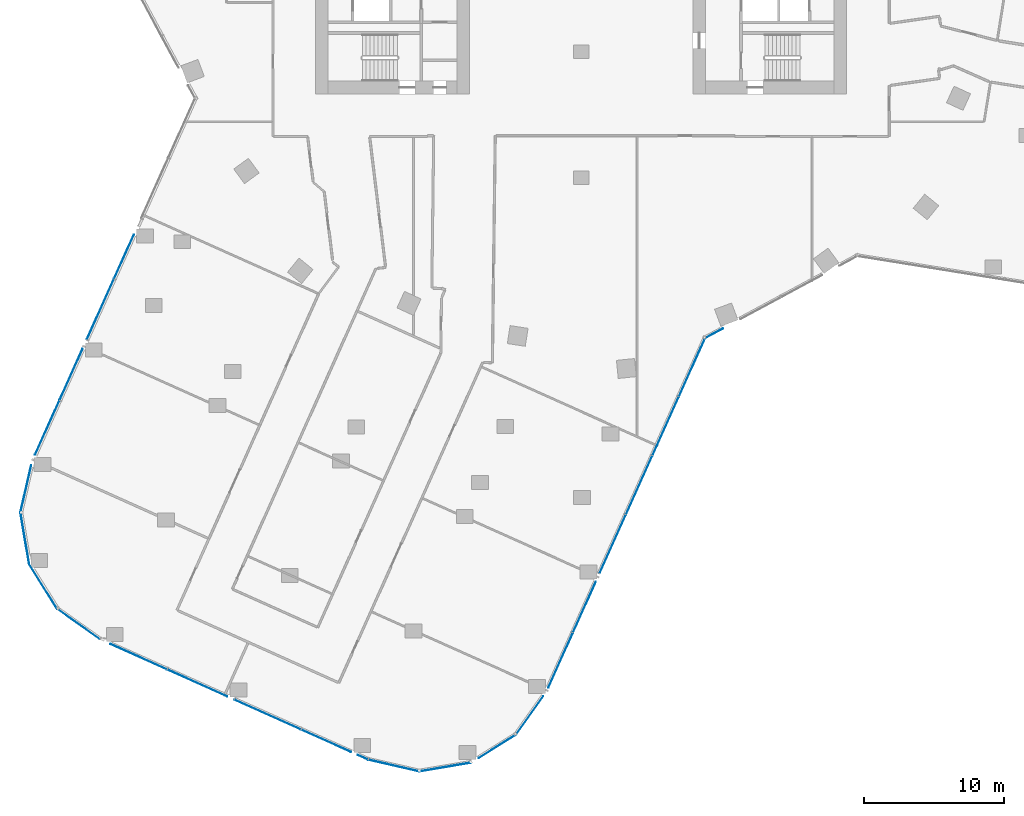
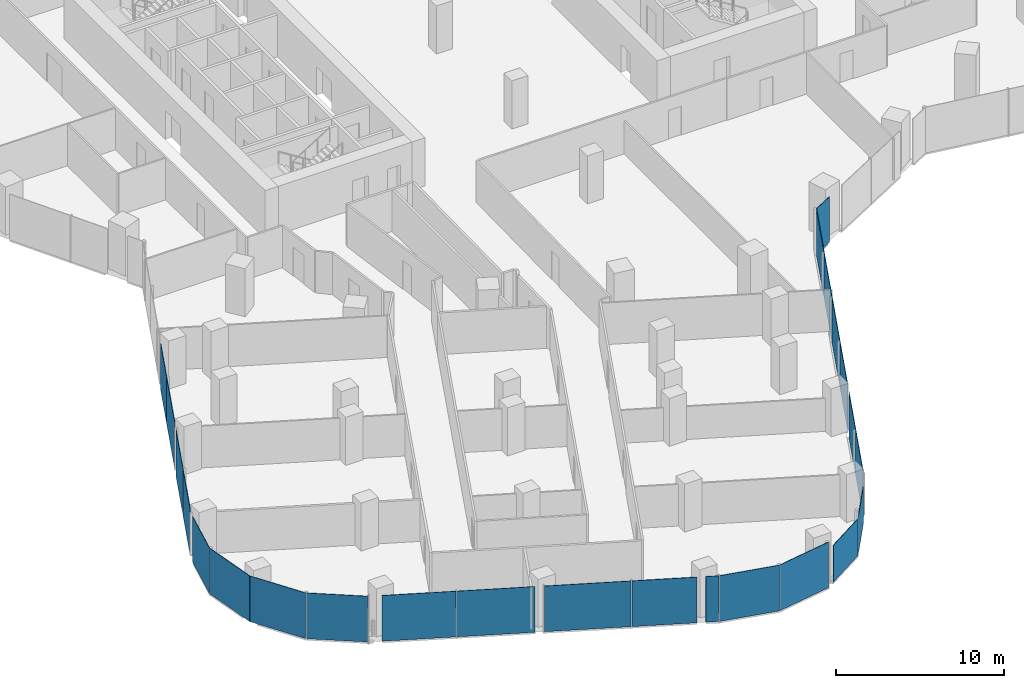
# One storey, part 18 of 34: 24 plates, 12 elements without a shape of their own.
"""IFC4 building model written with IfcOpenShell, lengths in metres."""

from ifc_helpers import new_model, si_unit, direction, frame, origin, origin_2d, place, context, subcontext, project, spatial, rectangle, extrude, material, layer, layer_set, type_object, element, aggregate, save


model = new_model("IFC4")

# Units and contexts
model_context = context("Model", 3, precision=1e-05, world=origin(), true_north=direction((0.0, 1.0)))
body_context = subcontext(model_context, "Body", "Model", "MODEL_VIEW")
ifc_project = project(units=[si_unit("LENGTHUNIT", "METRE"), si_unit("AREAUNIT", "SQUARE_METRE"), si_unit("VOLUMEUNIT", "CUBIC_METRE"), si_unit("PLANEANGLEUNIT", "RADIAN"), si_unit("MASSUNIT", "GRAM", prefix="KILO")], contexts=[model_context])

# Site, building, storey
site_placement = place(None, origin())
site = spatial("IfcSite", under=ifc_project, at=site_placement, CompositionType="ELEMENT")
building_placement = place(site_placement, origin())
building = spatial("IfcBuilding", under=site, at=building_placement, Name="Orlundy Tower", CompositionType="ELEMENT")
storey_placement = place(building_placement, frame((0.0, 0.0, 137.699951171875)))
storey = spatial("IfcBuildingStorey", under=building, at=storey_placement, Name="L35", CompositionType="ELEMENT", Elevation=137.699951171875)

# Curtain wall, plates
ifc_material_1 = material(Name="Aluminium bronze anodised", Category="aluminium")
curtain_wall_type = type_object("IfcCurtainWallType", Name="CW1 wall", PredefinedType="NOTDEFINED", material=ifc_material_1)
curtain_wall_1_placement = place(storey_placement, origin())
curtain_wall_1 = element("IfcCurtainWall", 1, at=curtain_wall_1_placement, inside=storey, type_object=curtain_wall_type, Name="CW1 run 00", PredefinedType="NOTDEFINED")
ifc_material_2 = material(Name="Tinted glass", Category="glass")
ifc_layer = layer(ifc_material_2, 0.031982421875)
ifc_layer_set = layer_set([ifc_layer], Name="CW1 glass panel 32")
plate_type = type_object("IfcPlateType", Name="CW1 glass panel 32", PredefinedType="CURTAIN_PANEL", material=ifc_layer_set)
plate_1_placement = place(storey_placement, frame((-38.206787109375, -35.89306640625, -0.280029296875), z_axis=(0.0, 0.0, 1.0), x_axis=(0.409404071174, 0.912353169834, 0.0)))
plate_1 = element("IfcPlate", 2, at=plate_1_placement, type_object=plate_type, Name="CW1 panel", PredefinedType="CURTAIN_PANEL", context=body_context, shape_type="SweptSolid", body=[
    extrude(rectangle(XDim=4.239501953125, YDim=0.031982421875, at=origin_2d()), origin(), (0.0, 0.0, 1.0), 3.330078125),
])
plate_2_placement = place(storey_placement, frame((-36.499755859375, -32.0888671875, -0.280029296875), z_axis=(0.0, 0.0, 1.0), x_axis=(0.409404071174, 0.912353169834, 0.0)))
plate_2 = element("IfcPlate", 3, at=plate_2_placement, type_object=plate_type, Name="CW1 panel", PredefinedType="CURTAIN_PANEL", context=body_context, shape_type="SweptSolid", body=[
    extrude(rectangle(XDim=3.999755859375, YDim=0.031982421875, at=origin_2d()), origin(), (0.0, 0.0, 1.0), 3.330078125),
])
plate_3_placement = place(storey_placement, frame((-34.408447265625, -27.4287109375, -0.280029296875), z_axis=(0.0, 0.0, 1.0), x_axis=(0.409404071174, 0.912353169834, 0.0)))
plate_3 = element("IfcPlate", 4, at=plate_3_placement, type_object=plate_type, Name="CW1 panel", PredefinedType="CURTAIN_PANEL", context=body_context, shape_type="SweptSolid", body=[
    extrude(rectangle(XDim=4.705322265625, YDim=0.031982421875, at=origin_2d()), origin(), (0.0, 0.0, 1.0), 3.330078125),
])
plate_4_placement = place(storey_placement, frame((-32.717529296875, -23.659912109375, -0.280029296875), z_axis=(0.0, 0.0, 1.0), x_axis=(0.409404071174, 0.912353169834, 0.0)))
plate_4 = element("IfcPlate", 5, at=plate_4_placement, type_object=plate_type, Name="CW1 panel", PredefinedType="CURTAIN_PANEL", context=body_context, shape_type="SweptSolid", body=[
    extrude(rectangle(XDim=3.4560546875, YDim=0.031982421875, at=origin_2d()), origin(), (0.0, 0.0, 1.0), 3.330078125),
])
aggregate(curtain_wall_1, [plate_1, plate_2, plate_3, plate_4])

# Curtain wall, plate
curtain_wall_2_placement = place(storey_placement, origin())
curtain_wall_2 = element("IfcCurtainWall", 6, at=curtain_wall_2_placement, inside=storey, type_object=curtain_wall_type, Name="CW1 run 017", PredefinedType="NOTDEFINED")
plate_5_placement = place(storey_placement, frame((9.50830078125, -29.142578125, -0.280029296875), z_axis=(0.0, 0.0, 1.0), x_axis=(-0.88019320423, -0.474615553081, 0.0)))
plate_5 = element("IfcPlate", 7, at=plate_5_placement, type_object=plate_type, Name="CW1 panel", PredefinedType="CURTAIN_PANEL", context=body_context, shape_type="SweptSolid", body=[
    extrude(rectangle(XDim=1.450927734375, YDim=0.031982421875, at=origin_2d()), origin(), (0.0, 0.0, 1.0), 3.330078125),
])
aggregate(curtain_wall_2, [plate_5])

# Curtain wall, plates
curtain_wall_3_placement = place(storey_placement, origin())
curtain_wall_3 = element("IfcCurtainWall", 8, at=curtain_wall_3_placement, inside=storey, type_object=curtain_wall_type, Name="CW1 run 018", PredefinedType="NOTDEFINED")
plate_6_placement = place(storey_placement, frame((7.9384765625, -31.5625, -0.280029296875), z_axis=(0.0, 0.0, 1.0), x_axis=(-0.409405171428, -0.912352676112, 0.0)))
plate_6 = element("IfcPlate", 9, at=plate_6_placement, type_object=plate_type, Name="CW1 panel", PredefinedType="CURTAIN_PANEL", context=body_context, shape_type="SweptSolid", body=[
    extrude(rectangle(XDim=4.550048828125, YDim=0.031982421875, at=origin_2d()), origin(), (0.0, 0.0, 1.0), 3.330078125),
])
plate_7_placement = place(storey_placement, frame((6.048828125, -35.7734375, -0.280029296875), z_axis=(0.0, 0.0, 1.0), x_axis=(-0.409405171428, -0.912352676112, 0.0)))
plate_7 = element("IfcPlate", 10, at=plate_7_placement, type_object=plate_type, Name="CW1 panel", PredefinedType="CURTAIN_PANEL", context=body_context, shape_type="SweptSolid", body=[
    extrude(rectangle(XDim=4.580810546875, YDim=0.031982421875, at=origin_2d()), origin(), (0.0, 0.0, 1.0), 3.330078125),
])
plate_8_placement = place(storey_placement, frame((4.153076171875, -39.998291015625, -0.280029296875), z_axis=(0.0, 0.0, 1.0), x_axis=(-0.409405171428, -0.912352676112, 0.0)))
plate_8 = element("IfcPlate", 11, at=plate_8_placement, type_object=plate_type, Name="CW1 panel", PredefinedType="CURTAIN_PANEL", context=body_context, shape_type="SweptSolid", body=[
    extrude(rectangle(XDim=4.580810546875, YDim=0.031982421875, at=origin_2d()), origin(), (0.0, 0.0, 1.0), 3.330078125),
])
plate_9_placement = place(storey_placement, frame((2.25732421875, -44.22314453125, -0.280029296875), z_axis=(0.0, 0.0, 1.0), x_axis=(-0.409405171428, -0.912352676112, 0.0)))
plate_9 = element("IfcPlate", 12, at=plate_9_placement, type_object=plate_type, Name="CW1 panel", PredefinedType="CURTAIN_PANEL", context=body_context, shape_type="SweptSolid", body=[
    extrude(rectangle(XDim=4.580810546875, YDim=0.031982421875, at=origin_2d()), origin(), (0.0, 0.0, 1.0), 3.330078125),
])
plate_10_placement = place(storey_placement, frame((0.23291015625, -48.734130859375, -0.280029296875), z_axis=(0.0, 0.0, 1.0), x_axis=(-0.409405171428, -0.912352676112, 0.0)))
plate_10 = element("IfcPlate", 13, at=plate_10_placement, type_object=plate_type, Name="CW1 panel", PredefinedType="CURTAIN_PANEL", context=body_context, shape_type="SweptSolid", body=[
    extrude(rectangle(XDim=3.952880859375, YDim=0.031982421875, at=origin_2d()), origin(), (0.0, 0.0, 1.0), 3.330078125),
])
plate_11_placement = place(storey_placement, frame((-1.474365234375, -52.538818359375, -0.280029296875), z_axis=(0.0, 0.0, 1.0), x_axis=(-0.409405171428, -0.912352676112, 0.0)))
plate_11 = element("IfcPlate", 14, at=plate_11_placement, type_object=plate_type, Name="CW1 panel", PredefinedType="CURTAIN_PANEL", context=body_context, shape_type="SweptSolid", body=[
    extrude(rectangle(XDim=4.287353515625, YDim=0.031982421875, at=origin_2d()), origin(), (0.0, 0.0, 1.0), 3.330078125),
])
aggregate(curtain_wall_3, [plate_6, plate_7, plate_8, plate_9, plate_10, plate_11])

# Curtain wall, plate
curtain_wall_4_placement = place(storey_placement, origin())
curtain_wall_4 = element("IfcCurtainWall", 15, at=curtain_wall_4_placement, inside=storey, type_object=curtain_wall_type, Name="CW1 run 019", PredefinedType="NOTDEFINED")
plate_12_placement = place(storey_placement, frame((-3.68798828125, -56.486328125, -0.280029296875), z_axis=(0.0, 0.0, 1.0), x_axis=(-0.579476006313, -0.814989299383, 0.0)))
plate_12 = element("IfcPlate", 16, at=plate_12_placement, type_object=plate_type, Name="CW1 panel", PredefinedType="CURTAIN_PANEL", context=body_context, shape_type="SweptSolid", body=[
    extrude(rectangle(XDim=3.37255859375, YDim=0.031982421875, at=origin_2d()), origin(), (0.0, 0.0, 1.0), 2.68994140625),
])
aggregate(curtain_wall_4, [plate_12])

curtain_wall_5_placement = place(storey_placement, origin())
curtain_wall_5 = element("IfcCurtainWall", 17, at=curtain_wall_5_placement, inside=storey, type_object=curtain_wall_type, Name="CW1 run 020", PredefinedType="NOTDEFINED")
plate_13_placement = place(storey_placement, frame((-5.99951171875, -58.697021484375, -0.280029296875), z_axis=(0.0, 0.0, 1.0), x_axis=(-0.847285276564, -0.531138080086, 0.0)))
plate_13 = element("IfcPlate", 18, at=plate_13_placement, type_object=plate_type, Name="CW1 panel", PredefinedType="CURTAIN_PANEL", context=body_context, shape_type="SweptSolid", body=[
    extrude(rectangle(XDim=3.149658203125, YDim=0.031982421875, at=origin_2d()), origin(), (0.0, 0.0, 1.0), 2.68994140625),
])
aggregate(curtain_wall_5, [plate_13])

curtain_wall_6_placement = place(storey_placement, origin())
curtain_wall_6 = element("IfcCurtainWall", 19, at=curtain_wall_6_placement, inside=storey, type_object=curtain_wall_type, Name="CW1 run 021", PredefinedType="NOTDEFINED")
plate_14_placement = place(storey_placement, frame((-9.72119140625, -60.17822265625, -0.280029296875), z_axis=(0.0, 0.0, 1.0), x_axis=(-0.986049086137, -0.166454797856, 0.0)))
plate_14 = element("IfcPlate", 20, at=plate_14_placement, type_object=plate_type, Name="CW1 panel", PredefinedType="CURTAIN_PANEL", context=body_context, shape_type="SweptSolid", body=[
    extrude(rectangle(XDim=3.77197265625, YDim=0.031982421875, at=origin_2d()), origin(), (0.0, 0.0, 1.0), 3.330078125),
])
aggregate(curtain_wall_6, [plate_14])

curtain_wall_7_placement = place(storey_placement, origin())
curtain_wall_7 = element("IfcCurtainWall", 21, at=curtain_wall_7_placement, inside=storey, type_object=curtain_wall_type, Name="CW1 run 022", PredefinedType="NOTDEFINED")
plate_15_placement = place(storey_placement, frame((-13.3984375, -60.074951171875, -0.280029296875), z_axis=(0.0, 0.0, 1.0), x_axis=(-0.974658825104, 0.223696612955, 0.0)))
plate_15 = element("IfcPlate", 22, at=plate_15_placement, type_object=plate_type, Name="CW1 panel", PredefinedType="CURTAIN_PANEL", context=body_context, shape_type="SweptSolid", body=[
    extrude(rectangle(XDim=3.7294921875, YDim=0.031982421875, at=origin_2d()), origin(), (0.0, 0.0, 1.0), 3.330078125),
])
aggregate(curtain_wall_7, [plate_15])

# Curtain wall, plates
curtain_wall_8_placement = place(storey_placement, origin())
curtain_wall_8 = element("IfcCurtainWall", 23, at=curtain_wall_8_placement, inside=storey, type_object=curtain_wall_type, Name="CW1 run 023", PredefinedType="NOTDEFINED")
plate_16_placement = place(storey_placement, frame((-15.62109375, -59.4814453125, -0.280029296875), z_axis=(0.0, 0.0, 1.0), x_axis=(-0.912366461182, 0.409374450241, 0.0)))
plate_16 = element("IfcPlate", 24, at=plate_16_placement, type_object=plate_type, Name="CW1 panel", PredefinedType="CURTAIN_PANEL", context=body_context, shape_type="SweptSolid", body=[
    extrude(rectangle(XDim=0.783935546875, YDim=0.031982421875, at=origin_2d()), origin(), (0.0, 0.0, 1.0), 3.330078125),
])
plate_17_placement = place(storey_placement, frame((-18.24755859375, -58.302978515625, -0.280029296875), z_axis=(0.0, 0.0, 1.0), x_axis=(-0.912366461182, 0.409374450241, 0.0)))
plate_17 = element("IfcPlate", 25, at=plate_17_placement, type_object=plate_type, Name="CW1 panel", PredefinedType="CURTAIN_PANEL", context=body_context, shape_type="SweptSolid", body=[
    extrude(rectangle(XDim=3.89013671875, YDim=0.031982421875, at=origin_2d()), origin(), (0.0, 0.0, 1.0), 3.330078125),
])
plate_18_placement = place(storey_placement, frame((-22.440185546875, -56.421875, -0.280029296875), z_axis=(0.0, 0.0, 1.0), x_axis=(-0.912366461182, 0.409374450241, 0.0)))
plate_18 = element("IfcPlate", 26, at=plate_18_placement, type_object=plate_type, Name="CW1 panel", PredefinedType="CURTAIN_PANEL", context=body_context, shape_type="SweptSolid", body=[
    extrude(rectangle(XDim=5.2001953125, YDim=0.031982421875, at=origin_2d()), origin(), (0.0, 0.0, 1.0), 3.330078125),
])
plate_19_placement = place(storey_placement, frame((-27.462646484375, -54.168212890625, -0.280029296875), z_axis=(0.0, 0.0, 1.0), x_axis=(-0.912366461182, 0.409374450241, 0.0)))
plate_19 = element("IfcPlate", 27, at=plate_19_placement, type_object=plate_type, Name="CW1 panel", PredefinedType="CURTAIN_PANEL", context=body_context, shape_type="SweptSolid", body=[
    extrude(rectangle(XDim=4.6904296875, YDim=0.031982421875, at=origin_2d()), origin(), (0.0, 0.0, 1.0), 3.330078125),
])
plate_20_placement = place(storey_placement, frame((-31.663330078125, -52.283203125, -0.280029296875), z_axis=(0.0, 0.0, 1.0), x_axis=(-0.912366461182, 0.409374450241, 0.0)))
plate_20 = element("IfcPlate", 28, at=plate_20_placement, type_object=plate_type, Name="CW1 panel", PredefinedType="CURTAIN_PANEL", context=body_context, shape_type="SweptSolid", body=[
    extrude(rectangle(XDim=4.41796875, YDim=0.031982421875, at=origin_2d()), origin(), (0.0, 0.0, 1.0), 3.330078125),
])
aggregate(curtain_wall_8, [plate_16, plate_17, plate_18, plate_19, plate_20])

# Curtain wall, plate
curtain_wall_9_placement = place(storey_placement, origin())
curtain_wall_9 = element("IfcCurtainWall", 29, at=curtain_wall_9_placement, inside=storey, type_object=curtain_wall_type, Name="CW1 run 024", PredefinedType="NOTDEFINED")
plate_21_placement = place(storey_placement, frame((-35.970458984375, -49.946533203125, -0.280029296875), z_axis=(0.0, 0.0, 1.0), x_axis=(-0.814989299383, 0.579476006313, 0.0)))
plate_21 = element("IfcPlate", 30, at=plate_21_placement, type_object=plate_type, Name="CW1 panel", PredefinedType="CURTAIN_PANEL", context=body_context, shape_type="SweptSolid", body=[
    extrude(rectangle(XDim=3.73046875, YDim=0.031982421875, at=origin_2d()), origin(), (0.0, 0.0, 1.0), 3.330078125),
])
aggregate(curtain_wall_9, [plate_21])

curtain_wall_10_placement = place(storey_placement, origin())
curtain_wall_10 = element("IfcCurtainWall", 31, at=curtain_wall_10_placement, inside=storey, type_object=curtain_wall_type, Name="CW1 run 025", PredefinedType="NOTDEFINED")
plate_22_placement = place(storey_placement, frame((-38.492431640625, -47.267578125, -0.280029296875), z_axis=(0.0, 0.0, 1.0), x_axis=(-0.531138080086, 0.847285276564, 0.0)))
plate_22 = element("IfcPlate", 32, at=plate_22_placement, type_object=plate_type, Name="CW1 panel", PredefinedType="CURTAIN_PANEL", context=body_context, shape_type="SweptSolid", body=[
    extrude(rectangle(XDim=3.7724609375, YDim=0.031982421875, at=origin_2d()), origin(), (0.0, 0.0, 1.0), 3.330078125),
])
aggregate(curtain_wall_10, [plate_22])

curtain_wall_11_placement = place(storey_placement, origin())
curtain_wall_11 = element("IfcCurtainWall", 33, at=curtain_wall_11_placement, inside=storey, type_object=curtain_wall_type, Name="CW1 run 026", PredefinedType="NOTDEFINED")
plate_23_placement = place(storey_placement, frame((-39.80810546875, -43.809814453125, -0.280029296875), z_axis=(0.0, 0.0, 1.0), x_axis=(-0.166454797856, 0.986049086137, 0.0)))
plate_23 = element("IfcPlate", 34, at=plate_23_placement, type_object=plate_type, Name="CW1 panel", PredefinedType="CURTAIN_PANEL", context=body_context, shape_type="SweptSolid", body=[
    extrude(rectangle(XDim=3.77197265625, YDim=0.031982421875, at=origin_2d()), origin(), (0.0, 0.0, 1.0), 3.330078125),
])
aggregate(curtain_wall_11, [plate_23])

curtain_wall_12_placement = place(storey_placement, origin())
curtain_wall_12 = element("IfcCurtainWall", 35, at=curtain_wall_12_placement, inside=storey, type_object=curtain_wall_type, Name="CW1 run 027", PredefinedType="NOTDEFINED")
plate_24_placement = place(storey_placement, frame((-39.736572265625, -40.269775390625, -0.280029296875), z_axis=(0.0, 0.0, 1.0), x_axis=(0.223637795584, 0.974672322571, 0.0)))
plate_24 = element("IfcPlate", 36, at=plate_24_placement, type_object=plate_type, Name="CW1 panel", PredefinedType="CURTAIN_PANEL", context=body_context, shape_type="SweptSolid", body=[
    extrude(rectangle(XDim=3.4482421875, YDim=0.031982421875, at=origin_2d()), origin(), (0.0, 0.0, 1.0), 3.330078125),
])
aggregate(curtain_wall_12, [plate_24])

save(model, "model.ifc")
